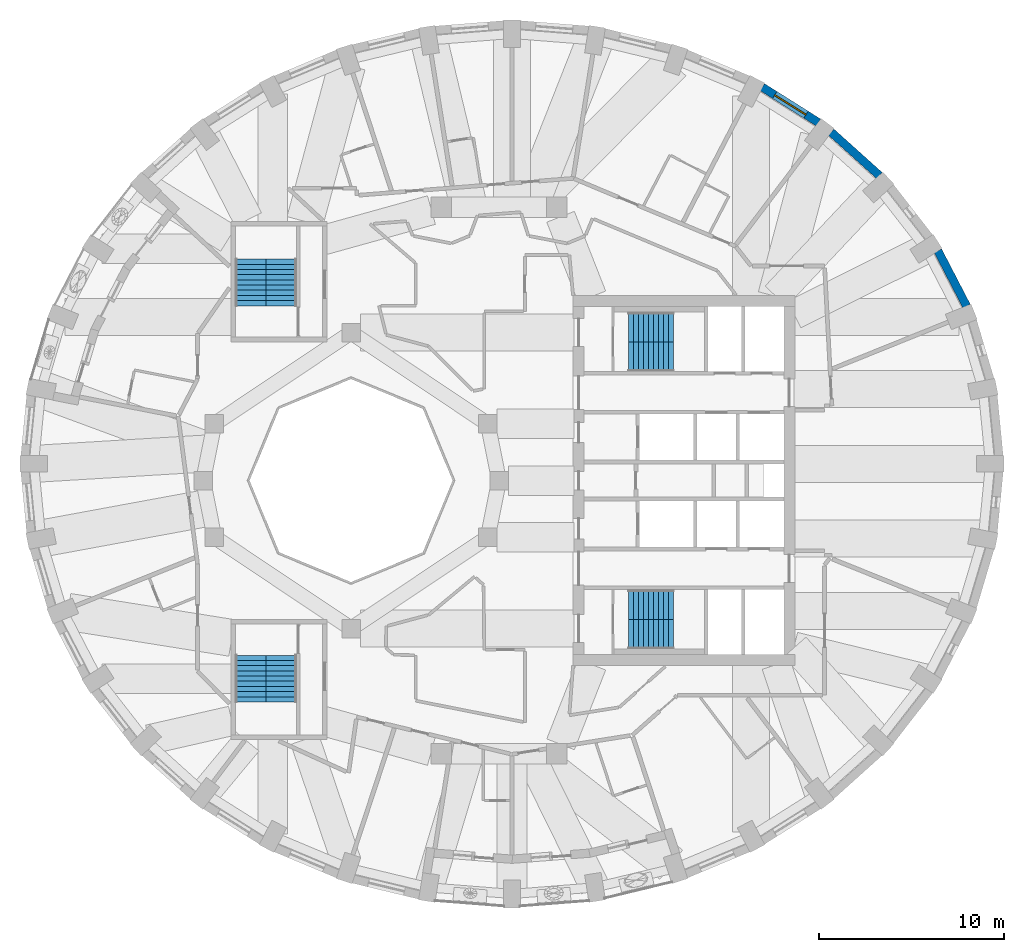
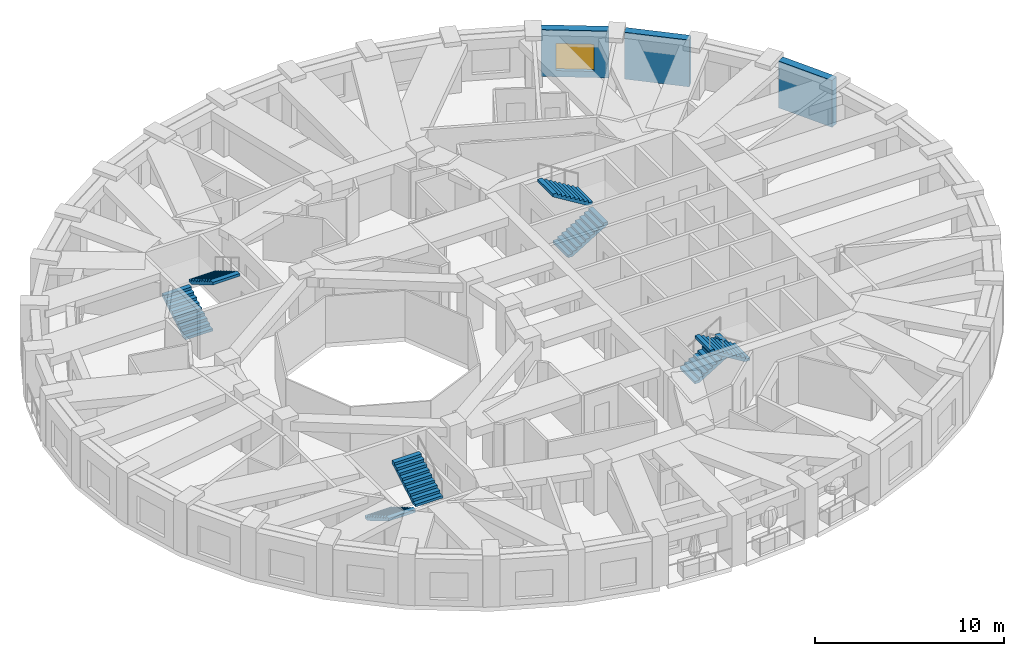
# One storey, part 9 of 12: 8 stair flights, 3 walls, 1 window, 1 opening, 4 elements without a shape of their own.
"""IFC4 building model written with IfcOpenShell, lengths in metres."""

from ifc_helpers import new_model, si_unit, direction, frame, frame_2d, origin, place, context, subcontext, project, spatial, polyline, rectangle, outline, extrude, material, layer, layer_set, type_object, element, fill, aggregate, save


model = new_model("IFC4")

# Units and contexts
model_context = context("Model", 3, precision=1e-05, world=origin(), true_north=direction((0.0, 1.0)))
body_context = subcontext(model_context, "Body", "Model", "MODEL_VIEW")
ifc_project = project(units=[si_unit("LENGTHUNIT", "METRE"), si_unit("AREAUNIT", "SQUARE_METRE"), si_unit("VOLUMEUNIT", "CUBIC_METRE"), si_unit("PLANEANGLEUNIT", "RADIAN"), si_unit("MASSUNIT", "GRAM", prefix="KILO")], contexts=[model_context])

# Site, building, storey
site_placement = place(None, origin())
site = spatial("IfcSite", under=ifc_project, at=site_placement, CompositionType="ELEMENT")
building_placement = place(site_placement, origin())
building = spatial("IfcBuilding", under=site, at=building_placement, Name="Taillehof Tower", CompositionType="ELEMENT")
storey_placement = place(building_placement, frame((0.0, 0.0, 202.39990234375)))
storey = spatial("IfcBuildingStorey", under=building, at=storey_placement, Name="L57", CompositionType="ELEMENT", Elevation=202.39990234375)

# Walls
ifc_material_1 = material(Name="Brick masonry", Category="masonry")
ifc_layer = layer(ifc_material_1, 0.449951171875)
ifc_layer_set = layer_set([ifc_layer], Name="Brick infill wall 450")
wall_type = type_object("IfcWallType", Name="Brick infill wall 450", PredefinedType="SOLIDWALL", material=ifc_layer_set)
wall_1_placement = place(storey_placement, frame((25.278076171875, 9.431640625, 0.0), z_axis=(0.0, 0.0, 1.0), x_axis=(-0.460175500475, 0.887827972505, 0.0)))
element("IfcWall", 1, at=wall_1_placement, inside=storey, type_object=wall_type, Name="Brick wall L57 bay 3", PredefinedType="SOLIDWALL", context=body_context, shape_type="SweptSolid", body=[
    extrude(rectangle(XDim=3.37060546875, YDim=0.449951171875, at=frame_2d((1.685302734375, 0.0))), origin(), (0.0, 0.0, 1.0), 3.02001953125),
])
wall_2_placement = place(storey_placement, frame((20.56494140625, 16.490478515625, 0.0), z_axis=(0.0, 0.0, 1.0), x_axis=(-0.743442727602, 0.668799604348, 0.0)))
element("IfcWall", 2, at=wall_2_placement, inside=storey, type_object=wall_type, Name="Brick wall L57 bay 5", PredefinedType="SOLIDWALL", context=body_context, shape_type="SweptSolid", body=[
    extrude(rectangle(XDim=3.5126953125, YDim=0.449951171875, at=frame_2d((1.75634765625, 0.0))), origin(), (0.0, 0.0, 1.0), 3.02001953125),
])

# Wall, opening, window
wall_3_placement = place(storey_placement, frame((17.26708984375, 19.3583984375, 0.0), z_axis=(0.0, 0.0, 1.0), x_axis=(-0.846119146727, 0.532993798783, 0.0)))
wall_3 = element("IfcWall", 3, at=wall_3_placement, inside=storey, type_object=wall_type, Name="Brick wall L57 bay 6", PredefinedType="SOLIDWALL", context=body_context, shape_type="SweptSolid", body=[
    extrude(rectangle(XDim=3.586669921875, YDim=0.449951171875, at=frame_2d((1.79345703125, 0.0))), origin(), (0.0, 0.0, 1.0), 3.02001953125),
])
opening_placement = place(wall_3_placement, frame((0.79345703125, 0.0, 0.39990234375)))
opening = element("IfcOpeningElement", 4, at=opening_placement, cuts=wall_3, Name="Opening W2", PredefinedType="OPENING", context=body_context, shape_type="SweptSolid", body=[
    extrude(rectangle(XDim=2.0, YDim=1.75, at=frame_2d((1.0, 0.875))), frame((0.0, 0.23486328125, 0.0), z_axis=(0.0, -1.0, 0.0), x_axis=(1.0, 0.0, 0.0)), (0.0, 0.0, 1.0), 0.469970703125),
])
ifc_material_2 = material(Name="Aluminium window frame with clear double glazing", Category="aluminium")
window_type = type_object("IfcWindowType", Name="Deep-set window 2000x1750", PartitioningType="SINGLE_PANEL", PredefinedType="WINDOW", material=ifc_material_2)
window_placement = place(opening_placement, origin())
window = element("IfcWindow", 5, at=window_placement, inside=storey, type_object=window_type, Name="W2", OverallHeight=1.75, OverallWidth=2.0, PartitioningType="SINGLE_PANEL", PredefinedType="WINDOW", context=body_context, shape_type="SweptSolid", body=[
    extrude(rectangle(XDim=2.0, YDim=1.75, at=frame_2d((1.0, 0.875))), frame((0.0, 0.034912109375, 0.0), z_axis=(0.0, -1.0, 0.0), x_axis=(1.0, 0.0, 0.0)), (0.0, 0.0, 1.0), 0.06005859375),
])
fill(opening, window)

# Stair, stair flights
ifc_material_3 = material(Name="Concrete C40/50", Category="concrete")
stair_type = type_object("IfcStairType", Name="Exit stair half-turn", PredefinedType="HALF_TURN_STAIR", material=ifc_material_3)
stair_1_placement = place(storey_placement, origin())
stair_1 = element("IfcStair", 6, at=stair_1_placement, inside=storey, type_object=stair_type, Name="Exit stair S1", PredefinedType="HALF_TURN_STAIR")
ifc_material_4 = material(Name="Concrete C40/50", Category="concrete")
stair_flight_type_1 = type_object("IfcStairFlightType", Name="Stair flight 1600 riser 165.0 going 270", PredefinedType="STRAIGHT", material=ifc_material_4)
stair_flight_1_placement = place(storey_placement, frame((7.0, 6.699951171875, 0.0), z_axis=(0.0, 0.0, 1.0), x_axis=(1.0, 0.0, 0.0)))
stair_flight_1 = element("IfcStairFlight", 7, at=stair_flight_1_placement, type_object=stair_flight_type_1, Name="S1 flight 1", NumberOfRisers=10, NumberOfTreads=9, PredefinedType="STRAIGHT", RiserHeight=0.165, TreadLength=0.27, context=body_context, shape_type="SweptSolid", body=[
    extrude(outline(polyline([(0.0, 0.0), (0.0, 0.00537109375), (0.0, 0.0107421875), (0.0, 0.015869140625), (0.0, 0.021240234375), (0.0, 0.026611328125), (0.0, 0.031982421875), (0.0, 0.037353515625), (0.0, 0.04248046875), (0.0, 0.0478515625), (0.0, 0.05322265625), (0.0, 0.05859375), (0.0, 0.06396484375), (0.0, 0.069091796875), (0.0, 0.074462890625), (0.0, 0.079833984375), (0.0, 0.085205078125), (0.0, 0.090576171875), (0.0, 0.095703125), (0.0, 0.10107421875), (0.0, 0.1064453125), (0.0, 0.11181640625), (0.0, 0.1171875), (0.0, 0.122314453125), (0.0, 0.127685546875), (0.0, 0.133056640625), (0.0, 0.138427734375), (0.0, 0.143798828125), (0.0, 0.14892578125), (0.0, 0.154296875), (0.0, 0.15966796875), (0.0, 0.1650390625), (0.27001953125, 0.1650390625), (0.27001953125, 0.330078125), (0.5400390625, 0.330078125), (0.5400390625, 0.4951171875), (0.81005859375, 0.4951171875), (0.81005859375, 0.659912109375), (1.080078125, 0.659912109375), (1.080078125, 0.824951171875), (1.35009765625, 0.824951171875), (1.35009765625, 0.989990234375), (1.6201171875, 0.989990234375), (1.6201171875, 1.155029296875), (1.889892578125, 1.155029296875), (1.889892578125, 1.320068359375), (2.159912109375, 1.320068359375), (2.159912109375, 1.485107421875), (2.429931640625, 1.485107421875), (2.429931640625, 1.479248046875), (2.429931640625, 1.4736328125), (2.429931640625, 1.468017578125), (2.429931640625, 1.46240234375), (2.429931640625, 1.45654296875), (2.429931640625, 1.450927734375), (2.429931640625, 1.4453125), (2.429931640625, 1.439697265625), (2.429931640625, 1.43408203125), (2.429931640625, 1.42822265625), (2.429931640625, 1.422607421875), (2.429931640625, 1.4169921875), (2.429931640625, 1.411376953125), (2.429931640625, 1.40576171875), (2.429931640625, 1.39990234375), (2.429931640625, 1.394287109375), (2.429931640625, 1.388671875), (2.429931640625, 1.383056640625), (2.429931640625, 1.37744140625), (2.429931640625, 1.37158203125), (2.429931640625, 1.365966796875), (2.429931640625, 1.3603515625), (2.429931640625, 1.354736328125), (2.429931640625, 1.348876953125), (2.429931640625, 1.34326171875), (2.429931640625, 1.337646484375), (2.429931640625, 1.33203125), (2.429931640625, 1.326416015625), (2.429931640625, 1.320556640625), (2.429931640625, 1.31494140625), (2.429931640625, 1.309326171875), (0.287353515625, 0.0), (0.0, 0.0)])), frame((0.0, 0.800048828125, 0.0), z_axis=(0.0, -1.0, 0.0), x_axis=(1.0, 0.0, 0.0)), (0.0, 0.0, 1.0), 1.6),
])
stair_flight_2_placement = place(storey_placement, frame((9.429931640625, 8.300048828125, 1.650146484375), z_axis=(0.0, 0.0, 1.0), x_axis=(-1.0, 0.0, 0.0)))
stair_flight_2 = element("IfcStairFlight", 8, at=stair_flight_2_placement, type_object=stair_flight_type_1, Name="S1 flight 2", NumberOfRisers=10, NumberOfTreads=9, PredefinedType="STRAIGHT", RiserHeight=0.165, TreadLength=0.27, context=body_context, shape_type="SweptSolid", body=[
    extrude(outline(polyline([(0.0, 0.0), (0.0, 0.00537109375), (0.0, 0.0107421875), (0.0, 0.015869140625), (0.0, 0.021240234375), (0.0, 0.026611328125), (0.0, 0.031982421875), (0.0, 0.037353515625), (0.0, 0.04248046875), (0.0, 0.0478515625), (0.0, 0.05322265625), (0.0, 0.05859375), (0.0, 0.06396484375), (0.0, 0.069091796875), (0.0, 0.074462890625), (0.0, 0.079833984375), (0.0, 0.085205078125), (0.0, 0.090576171875), (0.0, 0.095703125), (0.0, 0.10107421875), (0.0, 0.1064453125), (0.0, 0.11181640625), (0.0, 0.1171875), (0.0, 0.122314453125), (0.0, 0.127685546875), (0.0, 0.133056640625), (0.0, 0.138427734375), (0.0, 0.143798828125), (0.0, 0.14892578125), (0.0, 0.154296875), (0.0, 0.15966796875), (0.0, 0.1650390625), (0.27001953125, 0.1650390625), (0.27001953125, 0.330078125), (0.5400390625, 0.330078125), (0.5400390625, 0.4951171875), (0.81005859375, 0.4951171875), (0.81005859375, 0.659912109375), (1.080078125, 0.659912109375), (1.080078125, 0.824951171875), (1.35009765625, 0.824951171875), (1.35009765625, 0.989990234375), (1.6201171875, 0.989990234375), (1.6201171875, 1.155029296875), (1.889892578125, 1.155029296875), (1.889892578125, 1.320068359375), (2.159912109375, 1.320068359375), (2.159912109375, 1.485107421875), (2.429931640625, 1.485107421875), (2.429931640625, 1.479248046875), (2.429931640625, 1.4736328125), (2.429931640625, 1.468017578125), (2.429931640625, 1.46240234375), (2.429931640625, 1.45654296875), (2.429931640625, 1.450927734375), (2.429931640625, 1.4453125), (2.429931640625, 1.439697265625), (2.429931640625, 1.43408203125), (2.429931640625, 1.42822265625), (2.429931640625, 1.422607421875), (2.429931640625, 1.4169921875), (2.429931640625, 1.411376953125), (2.429931640625, 1.40576171875), (2.429931640625, 1.39990234375), (2.429931640625, 1.394287109375), (2.429931640625, 1.388671875), (2.429931640625, 1.383056640625), (2.429931640625, 1.37744140625), (2.429931640625, 1.37158203125), (2.429931640625, 1.365966796875), (2.429931640625, 1.3603515625), (2.429931640625, 1.354736328125), (2.429931640625, 1.348876953125), (2.429931640625, 1.34326171875), (2.429931640625, 1.337646484375), (2.429931640625, 1.33203125), (2.429931640625, 1.326416015625), (2.429931640625, 1.320556640625), (2.429931640625, 1.31494140625), (2.429931640625, 1.309326171875), (0.287353515625, 0.0), (0.0, 0.0)])), frame((0.0, 0.800048828125, 0.0), z_axis=(0.0, -1.0, 0.0), x_axis=(1.0, 0.0, 0.0)), (0.0, 0.0, 1.0), 1.6),
])
aggregate(stair_1, [stair_flight_1, stair_flight_2])

stair_2_placement = place(storey_placement, origin())
stair_2 = element("IfcStair", 9, at=stair_2_placement, inside=storey, type_object=stair_type, Name="Exit stair S2", PredefinedType="HALF_TURN_STAIR")
stair_flight_3_placement = place(storey_placement, frame((7.0, -6.699951171875, 0.0), z_axis=(0.0, 0.0, 1.0), x_axis=(1.0, 0.0, 0.0)))
stair_flight_3 = element("IfcStairFlight", 10, at=stair_flight_3_placement, type_object=stair_flight_type_1, Name="S2 flight 1", NumberOfRisers=10, NumberOfTreads=9, PredefinedType="STRAIGHT", RiserHeight=0.165, TreadLength=0.27, context=body_context, shape_type="SweptSolid", body=[
    extrude(outline(polyline([(0.0, 0.0), (0.0, 0.00537109375), (0.0, 0.0107421875), (0.0, 0.015869140625), (0.0, 0.021240234375), (0.0, 0.026611328125), (0.0, 0.031982421875), (0.0, 0.037353515625), (0.0, 0.04248046875), (0.0, 0.0478515625), (0.0, 0.05322265625), (0.0, 0.05859375), (0.0, 0.06396484375), (0.0, 0.069091796875), (0.0, 0.074462890625), (0.0, 0.079833984375), (0.0, 0.085205078125), (0.0, 0.090576171875), (0.0, 0.095703125), (0.0, 0.10107421875), (0.0, 0.1064453125), (0.0, 0.11181640625), (0.0, 0.1171875), (0.0, 0.122314453125), (0.0, 0.127685546875), (0.0, 0.133056640625), (0.0, 0.138427734375), (0.0, 0.143798828125), (0.0, 0.14892578125), (0.0, 0.154296875), (0.0, 0.15966796875), (0.0, 0.1650390625), (0.27001953125, 0.1650390625), (0.27001953125, 0.330078125), (0.5400390625, 0.330078125), (0.5400390625, 0.4951171875), (0.81005859375, 0.4951171875), (0.81005859375, 0.659912109375), (1.080078125, 0.659912109375), (1.080078125, 0.824951171875), (1.35009765625, 0.824951171875), (1.35009765625, 0.989990234375), (1.6201171875, 0.989990234375), (1.6201171875, 1.155029296875), (1.889892578125, 1.155029296875), (1.889892578125, 1.320068359375), (2.159912109375, 1.320068359375), (2.159912109375, 1.485107421875), (2.429931640625, 1.485107421875), (2.429931640625, 1.479248046875), (2.429931640625, 1.4736328125), (2.429931640625, 1.468017578125), (2.429931640625, 1.46240234375), (2.429931640625, 1.45654296875), (2.429931640625, 1.450927734375), (2.429931640625, 1.4453125), (2.429931640625, 1.439697265625), (2.429931640625, 1.43408203125), (2.429931640625, 1.42822265625), (2.429931640625, 1.422607421875), (2.429931640625, 1.4169921875), (2.429931640625, 1.411376953125), (2.429931640625, 1.40576171875), (2.429931640625, 1.39990234375), (2.429931640625, 1.394287109375), (2.429931640625, 1.388671875), (2.429931640625, 1.383056640625), (2.429931640625, 1.37744140625), (2.429931640625, 1.37158203125), (2.429931640625, 1.365966796875), (2.429931640625, 1.3603515625), (2.429931640625, 1.354736328125), (2.429931640625, 1.348876953125), (2.429931640625, 1.34326171875), (2.429931640625, 1.337646484375), (2.429931640625, 1.33203125), (2.429931640625, 1.326416015625), (2.429931640625, 1.320556640625), (2.429931640625, 1.31494140625), (2.429931640625, 1.309326171875), (0.287353515625, 0.0), (0.0, 0.0)])), frame((0.0, 0.800048828125, 0.0), z_axis=(0.0, -1.0, 0.0), x_axis=(1.0, 0.0, 0.0)), (0.0, 0.0, 1.0), 1.6),
])
stair_flight_4_placement = place(storey_placement, frame((9.429931640625, -8.300048828125, 1.650146484375), z_axis=(0.0, 0.0, 1.0), x_axis=(-1.0, 0.0, 0.0)))
stair_flight_4 = element("IfcStairFlight", 11, at=stair_flight_4_placement, type_object=stair_flight_type_1, Name="S2 flight 2", NumberOfRisers=10, NumberOfTreads=9, PredefinedType="STRAIGHT", RiserHeight=0.165, TreadLength=0.27, context=body_context, shape_type="SweptSolid", body=[
    extrude(outline(polyline([(0.0, 0.0), (0.0, 0.00537109375), (0.0, 0.0107421875), (0.0, 0.015869140625), (0.0, 0.021240234375), (0.0, 0.026611328125), (0.0, 0.031982421875), (0.0, 0.037353515625), (0.0, 0.04248046875), (0.0, 0.0478515625), (0.0, 0.05322265625), (0.0, 0.05859375), (0.0, 0.06396484375), (0.0, 0.069091796875), (0.0, 0.074462890625), (0.0, 0.079833984375), (0.0, 0.085205078125), (0.0, 0.090576171875), (0.0, 0.095703125), (0.0, 0.10107421875), (0.0, 0.1064453125), (0.0, 0.11181640625), (0.0, 0.1171875), (0.0, 0.122314453125), (0.0, 0.127685546875), (0.0, 0.133056640625), (0.0, 0.138427734375), (0.0, 0.143798828125), (0.0, 0.14892578125), (0.0, 0.154296875), (0.0, 0.15966796875), (0.0, 0.1650390625), (0.27001953125, 0.1650390625), (0.27001953125, 0.330078125), (0.5400390625, 0.330078125), (0.5400390625, 0.4951171875), (0.81005859375, 0.4951171875), (0.81005859375, 0.659912109375), (1.080078125, 0.659912109375), (1.080078125, 0.824951171875), (1.35009765625, 0.824951171875), (1.35009765625, 0.989990234375), (1.6201171875, 0.989990234375), (1.6201171875, 1.155029296875), (1.889892578125, 1.155029296875), (1.889892578125, 1.320068359375), (2.159912109375, 1.320068359375), (2.159912109375, 1.485107421875), (2.429931640625, 1.485107421875), (2.429931640625, 1.479248046875), (2.429931640625, 1.4736328125), (2.429931640625, 1.468017578125), (2.429931640625, 1.46240234375), (2.429931640625, 1.45654296875), (2.429931640625, 1.450927734375), (2.429931640625, 1.4453125), (2.429931640625, 1.439697265625), (2.429931640625, 1.43408203125), (2.429931640625, 1.42822265625), (2.429931640625, 1.422607421875), (2.429931640625, 1.4169921875), (2.429931640625, 1.411376953125), (2.429931640625, 1.40576171875), (2.429931640625, 1.39990234375), (2.429931640625, 1.394287109375), (2.429931640625, 1.388671875), (2.429931640625, 1.383056640625), (2.429931640625, 1.37744140625), (2.429931640625, 1.37158203125), (2.429931640625, 1.365966796875), (2.429931640625, 1.3603515625), (2.429931640625, 1.354736328125), (2.429931640625, 1.348876953125), (2.429931640625, 1.34326171875), (2.429931640625, 1.337646484375), (2.429931640625, 1.33203125), (2.429931640625, 1.326416015625), (2.429931640625, 1.320556640625), (2.429931640625, 1.31494140625), (2.429931640625, 1.309326171875), (0.287353515625, 0.0), (0.0, 0.0)])), frame((0.0, 0.800048828125, 0.0), z_axis=(0.0, -1.0, 0.0), x_axis=(1.0, 0.0, 0.0)), (0.0, 0.0, 1.0), 1.6),
])
aggregate(stair_2, [stair_flight_3, stair_flight_4])

stair_3_placement = place(storey_placement, origin())
stair_3 = element("IfcStair", 12, at=stair_3_placement, inside=storey, type_object=stair_type, Name="Exit stair S3", PredefinedType="HALF_TURN_STAIR")
ifc_material_5 = material(Name="Concrete C40/50", Category="concrete")
stair_flight_type_2 = type_object("IfcStairFlightType", Name="Stair flight 1650 riser 165.0 going 280", PredefinedType="STRAIGHT", material=ifc_material_5)
stair_flight_5_placement = place(storey_placement, frame((-13.425048828125, 9.449951171875, 0.0), z_axis=(0.0, 0.0, 1.0), x_axis=(0.0, 1.0, 0.0)))
stair_flight_5 = element("IfcStairFlight", 13, at=stair_flight_5_placement, type_object=stair_flight_type_2, Name="S3 flight 1", NumberOfRisers=10, NumberOfTreads=9, PredefinedType="STRAIGHT", RiserHeight=0.165, TreadLength=0.28, context=body_context, shape_type="SweptSolid", body=[
    extrude(outline(polyline([(0.0, 0.0), (0.0, 0.00537109375), (0.0, 0.0107421875), (0.0, 0.015869140625), (0.0, 0.021240234375), (0.0, 0.026611328125), (0.0, 0.031982421875), (0.0, 0.037353515625), (0.0, 0.04248046875), (0.0, 0.0478515625), (0.0, 0.05322265625), (0.0, 0.05859375), (0.0, 0.06396484375), (0.0, 0.069091796875), (0.0, 0.074462890625), (0.0, 0.079833984375), (0.0, 0.085205078125), (0.0, 0.090576171875), (0.0, 0.095703125), (0.0, 0.10107421875), (0.0, 0.1064453125), (0.0, 0.11181640625), (0.0, 0.1171875), (0.0, 0.122314453125), (0.0, 0.127685546875), (0.0, 0.133056640625), (0.0, 0.138427734375), (0.0, 0.143798828125), (0.0, 0.14892578125), (0.0, 0.154296875), (0.0, 0.15966796875), (0.0, 0.1650390625), (0.280029296875, 0.1650390625), (0.280029296875, 0.330078125), (0.56005859375, 0.330078125), (0.56005859375, 0.4951171875), (0.840087890625, 0.4951171875), (0.840087890625, 0.659912109375), (1.1201171875, 0.659912109375), (1.1201171875, 0.824951171875), (1.39990234375, 0.824951171875), (1.39990234375, 0.989990234375), (1.679931640625, 0.989990234375), (1.679931640625, 1.155029296875), (1.9599609375, 1.155029296875), (1.9599609375, 1.320068359375), (2.239990234375, 1.320068359375), (2.239990234375, 1.485107421875), (2.52001953125, 1.485107421875), (2.52001953125, 1.4794921875), (2.52001953125, 1.473876953125), (2.52001953125, 1.46826171875), (2.52001953125, 1.462646484375), (2.52001953125, 1.45703125), (2.52001953125, 1.451416015625), (2.52001953125, 1.44580078125), (2.52001953125, 1.440185546875), (2.52001953125, 1.4345703125), (2.52001953125, 1.428955078125), (2.52001953125, 1.42333984375), (2.52001953125, 1.417724609375), (2.52001953125, 1.412109375), (2.52001953125, 1.406494140625), (2.52001953125, 1.40087890625), (2.52001953125, 1.395263671875), (2.52001953125, 1.3896484375), (2.52001953125, 1.384033203125), (2.52001953125, 1.37841796875), (2.52001953125, 1.372802734375), (2.52001953125, 1.3671875), (2.52001953125, 1.361572265625), (2.52001953125, 1.35595703125), (2.52001953125, 1.350341796875), (2.52001953125, 1.3447265625), (2.52001953125, 1.339111328125), (2.52001953125, 1.33349609375), (2.52001953125, 1.327880859375), (2.52001953125, 1.322265625), (2.52001953125, 1.316650390625), (2.52001953125, 1.31103515625), (0.295166015625, 0.0), (0.0, 0.0)])), frame((0.0, 0.824951171875, 0.0), z_axis=(0.0, -1.0, 0.0), x_axis=(1.0, 0.0, 0.0)), (0.0, 0.0, 1.0), 1.65),
])
stair_flight_6_placement = place(storey_placement, frame((-11.77490234375, 11.969970703125, 1.650146484375), z_axis=(0.0, 0.0, 1.0), x_axis=(0.0, -1.0, 0.0)))
stair_flight_6 = element("IfcStairFlight", 14, at=stair_flight_6_placement, type_object=stair_flight_type_2, Name="S3 flight 2", NumberOfRisers=10, NumberOfTreads=9, PredefinedType="STRAIGHT", RiserHeight=0.165, TreadLength=0.28, context=body_context, shape_type="SweptSolid", body=[
    extrude(outline(polyline([(0.0, 0.0), (0.0, 0.00537109375), (0.0, 0.0107421875), (0.0, 0.015869140625), (0.0, 0.021240234375), (0.0, 0.026611328125), (0.0, 0.031982421875), (0.0, 0.037353515625), (0.0, 0.04248046875), (0.0, 0.0478515625), (0.0, 0.05322265625), (0.0, 0.05859375), (0.0, 0.06396484375), (0.0, 0.069091796875), (0.0, 0.074462890625), (0.0, 0.079833984375), (0.0, 0.085205078125), (0.0, 0.090576171875), (0.0, 0.095703125), (0.0, 0.10107421875), (0.0, 0.1064453125), (0.0, 0.11181640625), (0.0, 0.1171875), (0.0, 0.122314453125), (0.0, 0.127685546875), (0.0, 0.133056640625), (0.0, 0.138427734375), (0.0, 0.143798828125), (0.0, 0.14892578125), (0.0, 0.154296875), (0.0, 0.15966796875), (0.0, 0.1650390625), (0.280029296875, 0.1650390625), (0.280029296875, 0.330078125), (0.56005859375, 0.330078125), (0.56005859375, 0.4951171875), (0.840087890625, 0.4951171875), (0.840087890625, 0.659912109375), (1.1201171875, 0.659912109375), (1.1201171875, 0.824951171875), (1.39990234375, 0.824951171875), (1.39990234375, 0.989990234375), (1.679931640625, 0.989990234375), (1.679931640625, 1.155029296875), (1.9599609375, 1.155029296875), (1.9599609375, 1.320068359375), (2.239990234375, 1.320068359375), (2.239990234375, 1.485107421875), (2.52001953125, 1.485107421875), (2.52001953125, 1.4794921875), (2.52001953125, 1.473876953125), (2.52001953125, 1.46826171875), (2.52001953125, 1.462646484375), (2.52001953125, 1.45703125), (2.52001953125, 1.451416015625), (2.52001953125, 1.44580078125), (2.52001953125, 1.440185546875), (2.52001953125, 1.4345703125), (2.52001953125, 1.428955078125), (2.52001953125, 1.42333984375), (2.52001953125, 1.417724609375), (2.52001953125, 1.412109375), (2.52001953125, 1.406494140625), (2.52001953125, 1.40087890625), (2.52001953125, 1.395263671875), (2.52001953125, 1.3896484375), (2.52001953125, 1.384033203125), (2.52001953125, 1.37841796875), (2.52001953125, 1.372802734375), (2.52001953125, 1.3671875), (2.52001953125, 1.361572265625), (2.52001953125, 1.35595703125), (2.52001953125, 1.350341796875), (2.52001953125, 1.3447265625), (2.52001953125, 1.339111328125), (2.52001953125, 1.33349609375), (2.52001953125, 1.327880859375), (2.52001953125, 1.322265625), (2.52001953125, 1.316650390625), (2.52001953125, 1.31103515625), (0.295166015625, 0.0), (0.0, 0.0)])), frame((0.0, 0.824951171875, 0.0), z_axis=(0.0, -1.0, 0.0), x_axis=(1.0, 0.0, 0.0)), (0.0, 0.0, 1.0), 1.65),
])
aggregate(stair_3, [stair_flight_5, stair_flight_6])

stair_4_placement = place(storey_placement, origin())
stair_4 = element("IfcStair", 15, at=stair_4_placement, inside=storey, type_object=stair_type, Name="Exit stair S4", PredefinedType="HALF_TURN_STAIR")
stair_flight_7_placement = place(storey_placement, frame((-13.425048828125, -9.449951171875, 0.0), z_axis=(0.0, 0.0, 1.0), x_axis=(0.0, -1.0, 0.0)))
stair_flight_7 = element("IfcStairFlight", 16, at=stair_flight_7_placement, type_object=stair_flight_type_2, Name="S4 flight 1", NumberOfRisers=10, NumberOfTreads=9, PredefinedType="STRAIGHT", RiserHeight=0.165, TreadLength=0.28, context=body_context, shape_type="SweptSolid", body=[
    extrude(outline(polyline([(0.0, 0.0), (0.0, 0.00537109375), (0.0, 0.0107421875), (0.0, 0.015869140625), (0.0, 0.021240234375), (0.0, 0.026611328125), (0.0, 0.031982421875), (0.0, 0.037353515625), (0.0, 0.04248046875), (0.0, 0.0478515625), (0.0, 0.05322265625), (0.0, 0.05859375), (0.0, 0.06396484375), (0.0, 0.069091796875), (0.0, 0.074462890625), (0.0, 0.079833984375), (0.0, 0.085205078125), (0.0, 0.090576171875), (0.0, 0.095703125), (0.0, 0.10107421875), (0.0, 0.1064453125), (0.0, 0.11181640625), (0.0, 0.1171875), (0.0, 0.122314453125), (0.0, 0.127685546875), (0.0, 0.133056640625), (0.0, 0.138427734375), (0.0, 0.143798828125), (0.0, 0.14892578125), (0.0, 0.154296875), (0.0, 0.15966796875), (0.0, 0.1650390625), (0.280029296875, 0.1650390625), (0.280029296875, 0.330078125), (0.56005859375, 0.330078125), (0.56005859375, 0.4951171875), (0.840087890625, 0.4951171875), (0.840087890625, 0.659912109375), (1.1201171875, 0.659912109375), (1.1201171875, 0.824951171875), (1.39990234375, 0.824951171875), (1.39990234375, 0.989990234375), (1.679931640625, 0.989990234375), (1.679931640625, 1.155029296875), (1.9599609375, 1.155029296875), (1.9599609375, 1.320068359375), (2.239990234375, 1.320068359375), (2.239990234375, 1.485107421875), (2.52001953125, 1.485107421875), (2.52001953125, 1.4794921875), (2.52001953125, 1.473876953125), (2.52001953125, 1.46826171875), (2.52001953125, 1.462646484375), (2.52001953125, 1.45703125), (2.52001953125, 1.451416015625), (2.52001953125, 1.44580078125), (2.52001953125, 1.440185546875), (2.52001953125, 1.4345703125), (2.52001953125, 1.428955078125), (2.52001953125, 1.42333984375), (2.52001953125, 1.417724609375), (2.52001953125, 1.412109375), (2.52001953125, 1.406494140625), (2.52001953125, 1.40087890625), (2.52001953125, 1.395263671875), (2.52001953125, 1.3896484375), (2.52001953125, 1.384033203125), (2.52001953125, 1.37841796875), (2.52001953125, 1.372802734375), (2.52001953125, 1.3671875), (2.52001953125, 1.361572265625), (2.52001953125, 1.35595703125), (2.52001953125, 1.350341796875), (2.52001953125, 1.3447265625), (2.52001953125, 1.339111328125), (2.52001953125, 1.33349609375), (2.52001953125, 1.327880859375), (2.52001953125, 1.322265625), (2.52001953125, 1.316650390625), (2.52001953125, 1.31103515625), (0.295166015625, 0.0), (0.0, 0.0)])), frame((0.0, 0.824951171875, 0.0), z_axis=(0.0, -1.0, 0.0), x_axis=(1.0, 0.0, 0.0)), (0.0, 0.0, 1.0), 1.65),
])
stair_flight_8_placement = place(storey_placement, frame((-11.77490234375, -11.969970703125, 1.650146484375), z_axis=(0.0, 0.0, 1.0), x_axis=(0.0, 1.0, 0.0)))
stair_flight_8 = element("IfcStairFlight", 17, at=stair_flight_8_placement, type_object=stair_flight_type_2, Name="S4 flight 2", NumberOfRisers=10, NumberOfTreads=9, PredefinedType="STRAIGHT", RiserHeight=0.165, TreadLength=0.28, context=body_context, shape_type="SweptSolid", body=[
    extrude(outline(polyline([(0.0, 0.0), (0.0, 0.00537109375), (0.0, 0.0107421875), (0.0, 0.015869140625), (0.0, 0.021240234375), (0.0, 0.026611328125), (0.0, 0.031982421875), (0.0, 0.037353515625), (0.0, 0.04248046875), (0.0, 0.0478515625), (0.0, 0.05322265625), (0.0, 0.05859375), (0.0, 0.06396484375), (0.0, 0.069091796875), (0.0, 0.074462890625), (0.0, 0.079833984375), (0.0, 0.085205078125), (0.0, 0.090576171875), (0.0, 0.095703125), (0.0, 0.10107421875), (0.0, 0.1064453125), (0.0, 0.11181640625), (0.0, 0.1171875), (0.0, 0.122314453125), (0.0, 0.127685546875), (0.0, 0.133056640625), (0.0, 0.138427734375), (0.0, 0.143798828125), (0.0, 0.14892578125), (0.0, 0.154296875), (0.0, 0.15966796875), (0.0, 0.1650390625), (0.280029296875, 0.1650390625), (0.280029296875, 0.330078125), (0.56005859375, 0.330078125), (0.56005859375, 0.4951171875), (0.840087890625, 0.4951171875), (0.840087890625, 0.659912109375), (1.1201171875, 0.659912109375), (1.1201171875, 0.824951171875), (1.39990234375, 0.824951171875), (1.39990234375, 0.989990234375), (1.679931640625, 0.989990234375), (1.679931640625, 1.155029296875), (1.9599609375, 1.155029296875), (1.9599609375, 1.320068359375), (2.239990234375, 1.320068359375), (2.239990234375, 1.485107421875), (2.52001953125, 1.485107421875), (2.52001953125, 1.4794921875), (2.52001953125, 1.473876953125), (2.52001953125, 1.46826171875), (2.52001953125, 1.462646484375), (2.52001953125, 1.45703125), (2.52001953125, 1.451416015625), (2.52001953125, 1.44580078125), (2.52001953125, 1.440185546875), (2.52001953125, 1.4345703125), (2.52001953125, 1.428955078125), (2.52001953125, 1.42333984375), (2.52001953125, 1.417724609375), (2.52001953125, 1.412109375), (2.52001953125, 1.406494140625), (2.52001953125, 1.40087890625), (2.52001953125, 1.395263671875), (2.52001953125, 1.3896484375), (2.52001953125, 1.384033203125), (2.52001953125, 1.37841796875), (2.52001953125, 1.372802734375), (2.52001953125, 1.3671875), (2.52001953125, 1.361572265625), (2.52001953125, 1.35595703125), (2.52001953125, 1.350341796875), (2.52001953125, 1.3447265625), (2.52001953125, 1.339111328125), (2.52001953125, 1.33349609375), (2.52001953125, 1.327880859375), (2.52001953125, 1.322265625), (2.52001953125, 1.316650390625), (2.52001953125, 1.31103515625), (0.295166015625, 0.0), (0.0, 0.0)])), frame((0.0, 0.824951171875, 0.0), z_axis=(0.0, -1.0, 0.0), x_axis=(1.0, 0.0, 0.0)), (0.0, 0.0, 1.0), 1.65),
])
aggregate(stair_4, [stair_flight_7, stair_flight_8])

save(model, "model.ifc")
